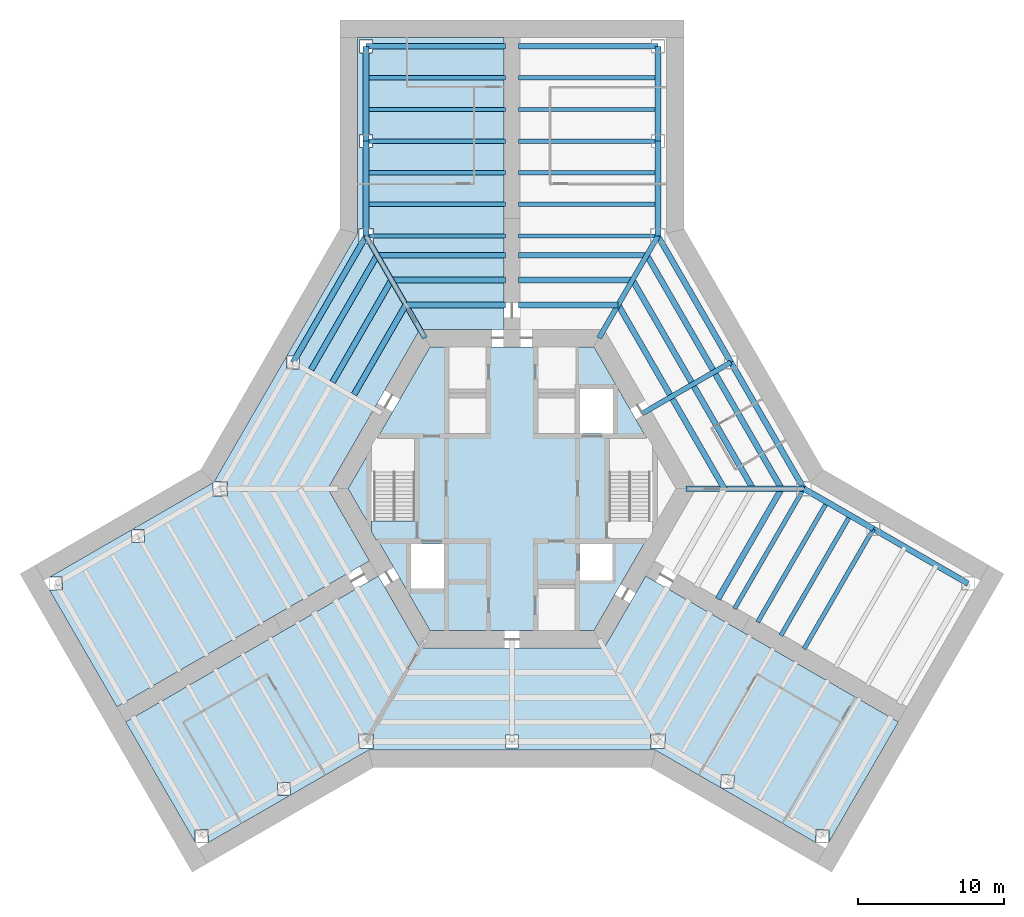
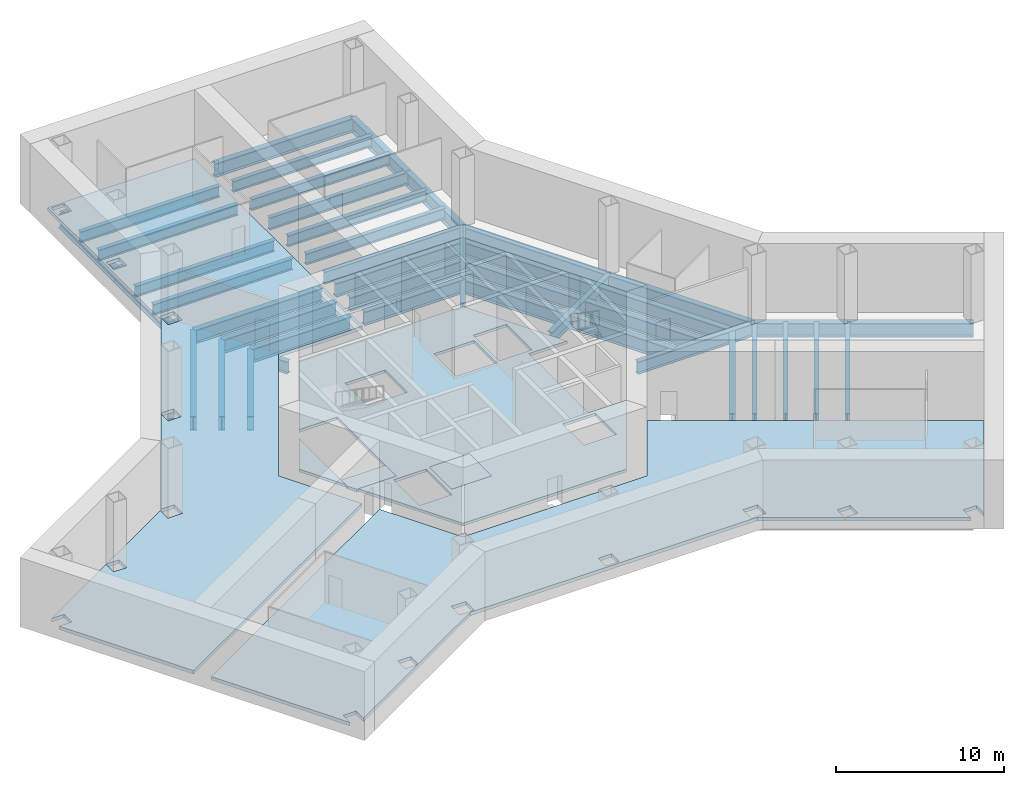
# One storey, part 2 of 7: 47 beams, 6 slabs, 1 element without a shape of its own.
"""IFC4 building model written with IfcOpenShell, lengths in metres."""

import ifcopenshell
import ifcopenshell.guid

model = None  # the IFC model being written
_history = None  # IfcOwnerHistory: only IFC2X3 demands one
_inside = {}  # id of a spatial element -> (the spatial element, [elements in it])
_under = {}  # id of a project, library or spatial element -> (it, [spatial elements below it])
_declared = {}  # id of a project -> (the project, [libraries it declares])
_typed = {}  # id of a type object -> (the type object, [elements of that type])
_made_of = {}  # id of a material, layer set ... -> (it, [elements and type objects made of it])


def new_model(schema):
    """Start an empty IFC model of exactly this schema.

    Asked for "IFC4X3", IfcOpenShell would pick the latest addendum, in which some entities
    have other attributes; the version numbers below select the first issue.
    IFC2X3 requires an IfcOwnerHistory on every rooted entity: one is made here for all.
    """
    global model, _history
    if schema == "IFC4X3":
        model = ifcopenshell.file(schema_version=(4, 3, 0, 0))
    else:
        model = ifcopenshell.file(schema=schema)
    _inside.clear()
    _under.clear()
    _declared.clear()
    _typed.clear()
    _made_of.clear()
    _history = None
    if model.schema == "IFC2X3":
        org = make("IfcOrganization", Name="unknown")
        user = make(
            "IfcPersonAndOrganization",
            ThePerson=make("IfcPerson", FamilyName="unknown"),
            TheOrganization=org,
        )
        app = make(
            "IfcApplication",
            ApplicationDeveloper=org,
            Version="unknown",
            ApplicationFullName="unknown",
            ApplicationIdentifier="unknown",
        )
        _history = make(
            "IfcOwnerHistory",
            OwningUser=user,
            OwningApplication=app,
            ChangeAction="ADDED",
            CreationDate=0,
        )
    return model


def make(cls, **values):
    """One entity of the class cls with the attributes given. An attribute that is None is left unset."""
    return model.create_entity(
        cls, **{name: value for name, value in values.items() if value is not None}
    )


def rooted(cls, **values):
    """An entity with a GlobalId (a new one), such as an element, a storey or a relation."""
    return make(cls, GlobalId=ifcopenshell.guid.new(), OwnerHistory=_history, **values)


def si_unit(unit_type, name, prefix=None):
    """IfcSIUnit, for example si_unit("LENGTHUNIT", "METRE", prefix="MILLI")."""
    return make("IfcSIUnit", UnitType=unit_type, Prefix=prefix, Name=name)


def assignment(units):
    """IfcUnitAssignment: the units of a project."""
    return None if units is None else make("IfcUnitAssignment", Units=units)


def point(xyz):
    """IfcCartesianPoint."""
    return None if xyz is None else make("IfcCartesianPoint", Coordinates=xyz)


def direction(xyz):
    """IfcDirection."""
    return None if xyz is None else make("IfcDirection", DirectionRatios=xyz)


def frame(location, z_axis=None, x_axis=None):
    """IfcAxis2Placement3D, a coordinate frame: its origin and axes. An axis left out is left unset."""
    return make(
        "IfcAxis2Placement3D",
        Location=point(location),
        Axis=direction(z_axis),
        RefDirection=direction(x_axis),
    )


def frame_2d(location, x_axis=None):
    """IfcAxis2Placement2D, a coordinate frame in the plane: its origin and x axis."""
    return make(
        "IfcAxis2Placement2D", Location=point(location), RefDirection=direction(x_axis)
    )


def origin():
    """The frame at (0, 0, 0) with its axes left unset."""
    return frame((0.0, 0.0, 0.0))


def origin_2d():
    """The frame at (0, 0) in the plane with its x axis left unset."""
    return frame_2d((0.0, 0.0))


def place(relative_to, where):
    """IfcLocalPlacement: puts the frame where relative to a parent placement (None: the world)."""
    return make(
        "IfcLocalPlacement", PlacementRelTo=relative_to, RelativePlacement=where
    )


def context(
    kind, dimensions, precision=None, world=None, true_north=None, identifier=None
):
    """IfcGeometricRepresentationContext, for example the 3D "Model" context."""
    return make(
        "IfcGeometricRepresentationContext",
        ContextIdentifier=identifier,
        ContextType=kind,
        CoordinateSpaceDimension=dimensions,
        Precision=precision,
        WorldCoordinateSystem=world,
        TrueNorth=true_north,
    )


def subcontext(parent, identifier, kind, view, scale=None):
    """IfcGeometricRepresentationSubContext, for example "Body" below "Model"."""
    return make(
        "IfcGeometricRepresentationSubContext",
        ContextIdentifier=identifier,
        ContextType=kind,
        ParentContext=parent,
        TargetScale=scale,
        TargetView=view,
    )


def project(units=None, contexts=None):
    """IfcProject with its units and contexts."""
    return rooted(
        "IfcProject",
        Name="project",
        RepresentationContexts=contexts,
        UnitsInContext=assignment(units),
    )


def spatial(cls, under=None, at=None, **own):
    """A site, building, storey or space (cls), placed at a placement, below another one or the project."""
    s = rooted(cls, ObjectPlacement=at, **own)
    if under is not None:
        _under.setdefault(under.id(), (under, []))[1].append(s)
    return s


def polyline(points):
    """IfcPolyline through the points."""
    return make("IfcPolyline", Points=[point(p) for p in points])


def profile(cls, at=None, kind="AREA", **sizes):
    """A parametric profile (cls). Its sizes go by their IFC names, for example OverallWidth=200.0."""
    return make(cls, ProfileType=kind, Position=at, **sizes)


def i_section(**sizes):
    """IfcIShapeProfileDef."""
    return profile("IfcIShapeProfileDef", **sizes)


def outline(outer, holes=None, kind="AREA"):
    """IfcArbitraryClosedProfileDef: a profile drawn as a closed curve; with holes, ...WithVoids."""
    if holes is None:
        return make("IfcArbitraryClosedProfileDef", ProfileType=kind, OuterCurve=outer)
    return make(
        "IfcArbitraryProfileDefWithVoids",
        ProfileType=kind,
        OuterCurve=outer,
        InnerCurves=holes,
    )


def extrude(swept, where, along, depth):
    """IfcExtrudedAreaSolid: the profile swept, set in the frame where, extruded along a direction by depth."""
    return make(
        "IfcExtrudedAreaSolid",
        SweptArea=swept,
        Position=where,
        ExtrudedDirection=direction(along),
        Depth=depth,
    )


def shape(context_of_items, identifier, shape_type, items):
    """IfcShapeRepresentation: the items that make up one representation, for example the "Body"."""
    return make(
        "IfcShapeRepresentation",
        ContextOfItems=context_of_items,
        RepresentationIdentifier=identifier,
        RepresentationType=shape_type,
        Items=items,
    )


def material(Name=None, Category=None):
    """IfcMaterial."""
    return make("IfcMaterial", Name=Name, Category=Category)


def layer(
    of_material, thickness, ventilated=None, Name=None, Category=None, Priority=None
):
    """IfcMaterialLayer: one layer of a wall or slab, of a material (None: an air gap)."""
    return make(
        "IfcMaterialLayer",
        Material=of_material,
        LayerThickness=thickness,
        IsVentilated=ventilated,
        Name=Name,
        Category=Category,
        Priority=Priority,
    )


def layer_set(layers, Name=None):
    """IfcMaterialLayerSet."""
    return make("IfcMaterialLayerSet", MaterialLayers=layers, LayerSetName=Name)


def material_profile(
    of_material, cross_section, Name=None, Category=None, Priority=None
):
    """IfcMaterialProfile: a cross section and its material."""
    return make(
        "IfcMaterialProfile",
        Name=Name,
        Material=of_material,
        Profile=cross_section,
        Priority=Priority,
        Category=Category,
    )


def profile_set(profiles, Name=None, composite=None):
    """IfcMaterialProfileSet."""
    return make(
        "IfcMaterialProfileSet",
        Name=Name,
        MaterialProfiles=profiles,
        CompositeProfile=composite,
    )


def made_of(thing, what):
    """Note that an element or type object is made of a material, layer set ...; save() writes the relation."""
    if what is not None:
        _made_of.setdefault(what.id(), (what, []))[1].append(thing)
    return thing


def type_object(cls, material=None, **own):
    """A type object (cls), such as IfcWallType, which elements share."""
    return made_of(rooted(cls, **own), material)


def element(
    cls,
    number,
    at=None,
    inside=None,
    cuts=None,
    type_object=None,
    material=None,
    context=None,
    identifier="Body",
    shape_type=None,
    held_by="IfcProductDefinitionShape",
    body=None,
    shapes=None,
    **own,
):
    """One element of the class cls, such as IfcWall. Its Tag is "e" and its number.

    at: its placement. inside: the storey or other place that contains it. cuts: it is an
    opening in that element (IfcRelVoidsElement). A single representation is given by context,
    identifier, shape_type and body (its items); several are given by shapes. held_by: the class
    of the entity that holds the representations. save() writes the other relations.
    """
    e = rooted(cls, Tag="e%d" % number, ObjectPlacement=at, **own)
    if body is not None:
        shapes = [shape(context, identifier, shape_type, body)]
    if shapes is not None:
        e.Representation = make(held_by, Representations=shapes)
    if inside is not None:
        _inside.setdefault(inside.id(), (inside, []))[1].append(e)
    if cuts is not None:
        rooted(
            "IfcRelVoidsElement", RelatingBuildingElement=cuts, RelatedOpeningElement=e
        )
    if type_object is not None:
        _typed.setdefault(type_object.id(), (type_object, []))[1].append(e)
    return made_of(e, material)


def aggregate(whole, parts):
    """IfcRelAggregates: a whole, such as a stair, and the parts it consists of."""
    return rooted("IfcRelAggregates", RelatingObject=whole, RelatedObjects=parts)


def save(model, path):
    """Write the relations noted so far, then the file.

    IfcRelAggregates (storeys below a building ...), IfcRelContainedInSpatialStructure (elements
    in a storey), IfcRelDefinesByType, IfcRelAssociatesMaterial and IfcRelDeclares: one each for
    every whole, place, type object, material and project.
    """
    for whole, parts in _under.values():
        aggregate(whole, parts)
    for where, things in _inside.values():
        rooted(
            "IfcRelContainedInSpatialStructure",
            RelatedElements=things,
            RelatingStructure=where,
        )
    for kind, things in _typed.values():
        rooted("IfcRelDefinesByType", RelatedObjects=things, RelatingType=kind)
    for what, things in _made_of.values():
        rooted("IfcRelAssociatesMaterial", RelatedObjects=things, RelatingMaterial=what)
    for by, libraries in _declared.values():
        rooted("IfcRelDeclares", RelatingContext=by, RelatedDefinitions=libraries)
    model.write(path)


model = new_model("IFC4")

# Units and contexts
model_context = context("Model", 3, precision=1e-05, world=origin(), true_north=direction((0.0, 1.0)))
body_context = subcontext(model_context, "Body", "Model", "MODEL_VIEW")
ifc_project = project(units=[si_unit("LENGTHUNIT", "METRE"), si_unit("AREAUNIT", "SQUARE_METRE"), si_unit("VOLUMEUNIT", "CUBIC_METRE"), si_unit("PLANEANGLEUNIT", "RADIAN"), si_unit("MASSUNIT", "GRAM", prefix="KILO")], contexts=[model_context])

# Site, building, storey
site_placement = place(None, origin())
site = spatial("IfcSite", under=ifc_project, at=site_placement, CompositionType="ELEMENT")
building_placement = place(site_placement, origin())
building = spatial("IfcBuilding", under=site, at=building_placement, Name="Kasaneha Research Tower", CompositionType="ELEMENT")
storey_placement = place(building_placement, frame((0.0, 0.0, -5.0)))
storey = spatial("IfcBuildingStorey", under=building, at=storey_placement, Name="B1", CompositionType="ELEMENT", Elevation=-5.0)

# Beams
ifc_material_1 = material(Name="Steel SN490B", Category="steel")
ifc_material_profile_1 = material_profile(ifc_material_1, i_section(OverallWidth=0.39990234375, OverallDepth=1.0, WebThickness=0.01904296875, FlangeThickness=0.035888671875, at=origin_2d()), Name="BH-1000x400x19x36")
ifc_profile_set_1 = profile_set([ifc_material_profile_1], Name="Steel SN490B")
beam_type_1 = type_object("IfcBeamType", Name="B1-0 secondary beam BH-1000x400x19x36", PredefinedType="JOIST", material=ifc_profile_set_1)
beam_1_placement = place(storey_placement, frame((14.54931640625, 0.0, -0.75), z_axis=(-0.500000279077, 0.866025242659, 0.0), x_axis=(-0.866025242659, -0.500000279077, 0.0)))
element("IfcBeam", 1, at=beam_1_placement, inside=storey, type_object=beam_type_1, Name="Secondary beam RS030L1 B1", PredefinedType="JOIST", context=body_context, shape_type="SweptSolid", body=[
    extrude(i_section(OverallWidth=0.39990234375, OverallDepth=1.0, WebThickness=0.01904296875, FlangeThickness=0.035888671875, at=origin_2d()), origin(), (0.0, 0.0, 1.0), 7.099609375),
])
beam_2_placement = place(storey_placement, frame((16.51220703125, 0.0, -0.75), z_axis=(-0.499992685514, 0.866029626764, 0.0), x_axis=(-0.866029626764, -0.499992685514, 0.0)))
element("IfcBeam", 2, at=beam_2_placement, inside=storey, type_object=beam_type_1, Name="Secondary beam RS030L2 B1", PredefinedType="JOIST", context=body_context, shape_type="SweptSolid", body=[
    extrude(i_section(OverallWidth=0.39990234375, OverallDepth=1.0, WebThickness=0.01904296875, FlangeThickness=0.035888671875, at=origin_2d()), origin(), (0.0, 0.0, 1.0), 8.0810546875),
])
beam_3_placement = place(storey_placement, frame((18.47509765625, 0.0, -0.75), z_axis=(-0.499998401736, 0.866026326541, 0.0), x_axis=(-0.866026326541, -0.499998401736, 0.0)))
element("IfcBeam", 3, at=beam_3_placement, inside=storey, type_object=beam_type_1, Name="Secondary beam RS030L3 B1", PredefinedType="JOIST", context=body_context, shape_type="SweptSolid", body=[
    extrude(i_section(OverallWidth=0.39990234375, OverallDepth=1.0, WebThickness=0.01904296875, FlangeThickness=0.035888671875, at=origin_2d()), origin(), (0.0, 0.0, 1.0), 9.0625),
])
beam_4_placement = place(storey_placement, frame((7.274658203125, 12.60009765625, -0.75), z_axis=(0.500000279077, -0.866025242659, 0.0), x_axis=(0.866025242659, 0.500000279077, 0.0)))
element("IfcBeam", 4, at=beam_4_placement, inside=storey, type_object=beam_type_1, Name="Secondary beam RS030R1 B1", PredefinedType="JOIST", context=body_context, shape_type="SweptSolid", body=[
    extrude(i_section(OverallWidth=0.39990234375, OverallDepth=1.0, WebThickness=0.01904296875, FlangeThickness=0.035888671875, at=origin_2d()), origin(), (0.0, 0.0, 1.0), 7.099609375),
])
beam_5_placement = place(storey_placement, frame((8.256103515625, 14.300048828125, -0.75), z_axis=(0.499992685514, -0.866029626764, 0.0), x_axis=(0.866029626764, 0.499992685514, 0.0)))
element("IfcBeam", 5, at=beam_5_placement, inside=storey, type_object=beam_type_1, Name="Secondary beam RS030R2 B1", PredefinedType="JOIST", context=body_context, shape_type="SweptSolid", body=[
    extrude(i_section(OverallWidth=0.39990234375, OverallDepth=1.0, WebThickness=0.01904296875, FlangeThickness=0.035888671875, at=origin_2d()), origin(), (0.0, 0.0, 1.0), 8.0810546875),
])
beam_6_placement = place(storey_placement, frame((9.237548828125, 16.0, -0.75), z_axis=(0.499998401736, -0.866026326541, 0.0), x_axis=(0.866026326541, 0.499998401736, 0.0)))
element("IfcBeam", 6, at=beam_6_placement, inside=storey, type_object=beam_type_1, Name="Secondary beam RS030R3 B1", PredefinedType="JOIST", context=body_context, shape_type="SweptSolid", body=[
    extrude(i_section(OverallWidth=0.39990234375, OverallDepth=1.0, WebThickness=0.01904296875, FlangeThickness=0.035888671875, at=origin_2d()), origin(), (0.0, 0.0, 1.0), 9.0625),
])
beam_7_placement = place(storey_placement, frame((7.274658203125, 12.60009765625, -0.75), z_axis=(-1.0, 0.0, 0.0), x_axis=(0.0, -1.0, 0.0)))
element("IfcBeam", 7, at=beam_7_placement, inside=storey, type_object=beam_type_1, Name="Secondary beam RS090L1 B1", PredefinedType="JOIST", context=body_context, shape_type="SweptSolid", body=[
    extrude(i_section(OverallWidth=0.39990234375, OverallDepth=1.0, WebThickness=0.01904296875, FlangeThickness=0.035888671875, at=origin_2d()), origin(), (0.0, 0.0, 1.0), 6.82470703125),
])
beam_8_placement = place(storey_placement, frame((8.256103515625, 14.300048828125, -0.75), z_axis=(-1.0, 0.0, 0.0), x_axis=(0.0, -1.0, 0.0)))
element("IfcBeam", 8, at=beam_8_placement, inside=storey, type_object=beam_type_1, Name="Secondary beam RS090L2 B1", PredefinedType="JOIST", context=body_context, shape_type="SweptSolid", body=[
    extrude(i_section(OverallWidth=0.39990234375, OverallDepth=1.0, WebThickness=0.01904296875, FlangeThickness=0.035888671875, at=origin_2d()), origin(), (0.0, 0.0, 1.0), 7.80615234375),
])
beam_9_placement = place(storey_placement, frame((9.237548828125, 16.0, -0.75), z_axis=(-1.0, 0.0, 0.0), x_axis=(0.0, -1.0, 0.0)))
element("IfcBeam", 9, at=beam_9_placement, inside=storey, type_object=beam_type_1, Name="Secondary beam RS090L3 B1", PredefinedType="JOIST", context=body_context, shape_type="SweptSolid", body=[
    extrude(i_section(OverallWidth=0.39990234375, OverallDepth=1.0, WebThickness=0.01904296875, FlangeThickness=0.035888671875, at=origin_2d()), origin(), (0.0, 0.0, 1.0), 8.78759765625),
])
beam_10_placement = place(storey_placement, frame((-7.274658203125, 12.60009765625, -0.75), z_axis=(1.0, 0.0, 0.0), x_axis=(0.0, 1.0, 0.0)))
element("IfcBeam", 10, at=beam_10_placement, inside=storey, type_object=beam_type_1, Name="Secondary beam RS090R1 B1", PredefinedType="JOIST", context=body_context, shape_type="SweptSolid", body=[
    extrude(i_section(OverallWidth=0.39990234375, OverallDepth=1.0, WebThickness=0.01904296875, FlangeThickness=0.035888671875, at=origin_2d()), origin(), (0.0, 0.0, 1.0), 6.82470703125),
])
beam_11_placement = place(storey_placement, frame((-8.256103515625, 14.300048828125, -0.75), z_axis=(1.0, 0.0, 0.0), x_axis=(0.0, 1.0, 0.0)))
element("IfcBeam", 11, at=beam_11_placement, inside=storey, type_object=beam_type_1, Name="Secondary beam RS090R2 B1", PredefinedType="JOIST", context=body_context, shape_type="SweptSolid", body=[
    extrude(i_section(OverallWidth=0.39990234375, OverallDepth=1.0, WebThickness=0.01904296875, FlangeThickness=0.035888671875, at=origin_2d()), origin(), (0.0, 0.0, 1.0), 7.80615234375),
])
beam_12_placement = place(storey_placement, frame((-9.237548828125, 16.0, -0.75), z_axis=(1.0, 0.0, 0.0), x_axis=(0.0, 1.0, 0.0)))
element("IfcBeam", 12, at=beam_12_placement, inside=storey, type_object=beam_type_1, Name="Secondary beam RS090R3 B1", PredefinedType="JOIST", context=body_context, shape_type="SweptSolid", body=[
    extrude(i_section(OverallWidth=0.39990234375, OverallDepth=1.0, WebThickness=0.01904296875, FlangeThickness=0.035888671875, at=origin_2d()), origin(), (0.0, 0.0, 1.0), 8.78759765625),
])
beam_13_placement = place(storey_placement, frame((-7.274658203125, 12.60009765625, -0.75), z_axis=(-0.500000279077, -0.866025242659, 0.0), x_axis=(0.866025242659, -0.500000279077, 0.0)))
element("IfcBeam", 13, at=beam_13_placement, inside=storey, type_object=beam_type_1, Name="Secondary beam RS150L1 B1", PredefinedType="JOIST", context=body_context, shape_type="SweptSolid", body=[
    extrude(i_section(OverallWidth=0.39990234375, OverallDepth=1.0, WebThickness=0.01904296875, FlangeThickness=0.035888671875, at=origin_2d()), origin(), (0.0, 0.0, 1.0), 7.099609375),
])
beam_14_placement = place(storey_placement, frame((-8.256103515625, 14.300048828125, -0.75), z_axis=(-0.499992685514, -0.866029626764, 0.0), x_axis=(0.866029626764, -0.499992685514, 0.0)))
element("IfcBeam", 14, at=beam_14_placement, inside=storey, type_object=beam_type_1, Name="Secondary beam RS150L2 B1", PredefinedType="JOIST", context=body_context, shape_type="SweptSolid", body=[
    extrude(i_section(OverallWidth=0.39990234375, OverallDepth=1.0, WebThickness=0.01904296875, FlangeThickness=0.035888671875, at=origin_2d()), origin(), (0.0, 0.0, 1.0), 8.0810546875),
])
beam_15_placement = place(storey_placement, frame((-9.237548828125, 16.0, -0.75), z_axis=(-0.499998401736, -0.866026326541, 0.0), x_axis=(0.866026326541, -0.499998401736, 0.0)))
element("IfcBeam", 15, at=beam_15_placement, inside=storey, type_object=beam_type_1, Name="Secondary beam RS150L3 B1", PredefinedType="JOIST", context=body_context, shape_type="SweptSolid", body=[
    extrude(i_section(OverallWidth=0.39990234375, OverallDepth=1.0, WebThickness=0.01904296875, FlangeThickness=0.035888671875, at=origin_2d()), origin(), (0.0, 0.0, 1.0), 9.0625),
])
beam_16_placement = place(storey_placement, frame((18.47509765625, 0.0, -0.75), z_axis=(-0.499991738058, -0.866030173766, 0.0), x_axis=(0.866030173766, -0.499991738058, 0.0)))
element("IfcBeam", 16, at=beam_16_placement, inside=storey, type_object=beam_type_1, Name="Secondary beam RS330R3 B1", PredefinedType="JOIST", context=body_context, shape_type="SweptSolid", body=[
    extrude(i_section(OverallWidth=0.39990234375, OverallDepth=1.0, WebThickness=0.01904296875, FlangeThickness=0.035888671875, at=origin_2d()), origin(), (0.0, 0.0, 1.0), 8.737548828125),
])
ifc_material_2 = material(Name="Steel SN490B", Category="steel")
ifc_material_profile_2 = material_profile(ifc_material_2, i_section(OverallWidth=0.300048828125, OverallDepth=0.800048828125, WebThickness=0.013916015625, FlangeThickness=0.02587890625, FilletRadius=0.01806640625, at=origin_2d()), Name="H-800x300x14x26")
ifc_profile_set_2 = profile_set([ifc_material_profile_2], Name="Steel SN490B")
beam_type_2 = type_object("IfcBeamType", Name="B2-0 secondary beam H-800x300x14x26", PredefinedType="JOIST", material=ifc_profile_set_2)
for number, where, z_axis, x_axis, name in (
    (17, (10.0, 19.487060546875, -0.64990234375), (-1.0, 0.0, 0.0), (0.0, -1.0, 0.0), "Secondary beam WBAP1 B1"),
    (18, (10.0, 21.65380859375, -0.64990234375), (-1.0, 0.0, 0.0), (0.0, -1.0, 0.0), "Secondary beam WBAP2 B1"),
    (19, (10.0, 25.987060546875, -0.64990234375), (-1.0, 0.0, 0.0), (0.0, -1.0, 0.0), "Secondary beam WBAP3 B1"),
    (20, (10.0, 28.15380859375, -0.64990234375), (-1.0, 0.0, 0.0), (0.0, -1.0, 0.0), "Secondary beam WBAP4 B1"),
    (21, (-10.0, 19.487060546875, -0.64990234375), (1.0, 0.0, 0.0), (0.0, 1.0, 0.0), "Secondary beam WBAN1 B1"),
    (22, (-10.0, 21.65380859375, -0.64990234375), (1.0, 0.0, 0.0), (0.0, 1.0, 0.0), "Secondary beam WBAN2 B1"),
    (23, (-10.0, 25.987060546875, -0.64990234375), (1.0, 0.0, 0.0), (0.0, 1.0, 0.0), "Secondary beam WBAN3 B1"),
    (24, (-10.0, 28.15380859375, -0.64990234375), (1.0, 0.0, 0.0), (0.0, 1.0, 0.0), "Secondary beam WBAN4 B1"),
):
    element("IfcBeam", number, at=place(storey_placement, frame(where, z_axis=z_axis, x_axis=x_axis)), inside=storey, type_object=beam_type_2, Name=name, PredefinedType="JOIST", context=body_context, shape_type="SweptSolid", body=[
        extrude(i_section(OverallWidth=0.300048828125, OverallDepth=0.800048828125, WebThickness=0.013916015625, FlangeThickness=0.02587890625, FilletRadius=0.01806640625, at=origin_2d()), origin(), (0.0, 0.0, 1.0), 9.550048828125),
    ])
beam_17_placement = place(storey_placement, frame((21.587646484375, -0.916748046875, -0.64990234375), z_axis=(-0.500008685663, -0.866020389056, 0.0), x_axis=(0.866020389056, -0.500008685663, 0.0)))
element("IfcBeam", 25, at=beam_17_placement, inside=storey, type_object=beam_type_2, Name="Secondary beam WBCN1 B1", PredefinedType="JOIST", context=body_context, shape_type="SweptSolid", body=[
    extrude(i_section(OverallWidth=0.300048828125, OverallDepth=0.800048828125, WebThickness=0.013916015625, FlangeThickness=0.02587890625, FilletRadius=0.01806640625, at=origin_2d()), origin(), (0.0, 0.0, 1.0), 9.499755859375),
])
beam_18_placement = place(storey_placement, frame((23.175537109375, -1.833251953125, -0.64990234375), z_axis=(-0.499997557548, -0.86602681393, 0.0), x_axis=(0.86602681393, -0.499997557548, 0.0)))
element("IfcBeam", 26, at=beam_18_placement, inside=storey, type_object=beam_type_2, Name="Secondary beam WBCN2 B1", PredefinedType="JOIST", context=body_context, shape_type="SweptSolid", body=[
    extrude(i_section(OverallWidth=0.300048828125, OverallDepth=0.800048828125, WebThickness=0.013916015625, FlangeThickness=0.02587890625, FilletRadius=0.01806640625, at=origin_2d()), origin(), (0.0, 0.0, 1.0), 9.5),
])
ifc_material_3 = material(Name="Steel SN490B", Category="steel")
ifc_material_profile_3 = material_profile(ifc_material_3, i_section(OverallWidth=0.35009765625, OverallDepth=0.89990234375, WebThickness=0.01611328125, FlangeThickness=0.031982421875, at=origin_2d()), Name="BH-900x350x16x32")
ifc_profile_set_3 = profile_set([ifc_material_profile_3], Name="Steel SN490B")
beam_type_3 = type_object("IfcBeamType", Name="G1-0 radial girder BH-900x350x16x32", PredefinedType="BEAM", material=ifc_profile_set_3)
beam_19_placement = place(storey_placement, frame((11.92236328125, 0.0, -0.699951171875), z_axis=(1.0, 0.0, 0.0), x_axis=(0.0, 1.0, 0.0)))
element("IfcBeam", 27, at=beam_19_placement, inside=storey, type_object=beam_type_3, Name="Radial girder RV000 B1", PredefinedType="BEAM", context=body_context, shape_type="SweptSolid", body=[
    extrude(i_section(OverallWidth=0.35009765625, OverallDepth=0.89990234375, WebThickness=0.01611328125, FlangeThickness=0.031982421875, at=origin_2d()), origin(), (0.0, 0.0, 1.0), 8.07763671875),
])
for number, where, z_axis, x_axis, name in (
    (28, (5.961181640625, 10.324951171875, -0.699951171875), (0.49999105496, 0.866030568144, 0.0), (-0.866030568144, 0.49999105496, 0.0), "Radial girder RV060 B1"),
    (29, (-5.961181640625, 10.324951171875, -0.699951171875), (-0.49999105496, 0.866030568144, 0.0), (-0.866030568144, -0.49999105496, 0.0), "Radial girder RV120 B1"),
):
    element("IfcBeam", number, at=place(storey_placement, frame(where, z_axis=z_axis, x_axis=x_axis)), inside=storey, type_object=beam_type_3, Name=name, PredefinedType="BEAM", context=body_context, shape_type="SweptSolid", body=[
        extrude(i_section(OverallWidth=0.35009765625, OverallDepth=0.89990234375, WebThickness=0.01611328125, FlangeThickness=0.031982421875, at=origin_2d()), origin(), (0.0, 0.0, 1.0), 8.077880859375),
    ])
ifc_material_4 = material(Name="Steel SN490B", Category="steel")
ifc_material_profile_4 = material_profile(ifc_material_4, i_section(OverallWidth=0.35009765625, OverallDepth=0.89990234375, WebThickness=0.01611328125, FlangeThickness=0.031982421875, at=origin_2d()), Name="BH-900x350x16x32")
ifc_profile_set_4 = profile_set([ifc_material_profile_4], Name="Steel SN490B")
beam_type_4 = type_object("IfcBeamType", Name="G2-0 radial girder BH-900x350x16x32", PredefinedType="BEAM", material=ifc_profile_set_4)
beam_20_placement = place(storey_placement, frame((8.941650390625, 5.16259765625, -0.699951171875), z_axis=(0.866039713508, 0.499975214012, 0.0), x_axis=(-0.499975214012, 0.866039713508, 0.0)))
element("IfcBeam", 30, at=beam_20_placement, inside=storey, type_object=beam_type_4, Name="Radial girder RM030 B1", PredefinedType="BEAM", context=body_context, shape_type="SweptSolid", body=[
    extrude(i_section(OverallWidth=0.35009765625, OverallDepth=0.89990234375, WebThickness=0.01611328125, FlangeThickness=0.031982421875, at=origin_2d()), origin(), (0.0, 0.0, 1.0), 6.995361328125),
])
ifc_material_5 = material(Name="Steel SN490B", Category="steel")
ifc_material_profile_5 = material_profile(ifc_material_5, i_section(OverallWidth=0.299072265625, OverallDepth=0.889892578125, WebThickness=0.014892578125, FlangeThickness=0.02294921875, FilletRadius=0.01806640625, at=origin_2d()), Name="H-890x299x15x23")
ifc_profile_set_5 = profile_set([ifc_material_profile_5], Name="Steel SN490B")
beam_type_5 = type_object("IfcBeamType", Name="G3-0 plate edge girder H-890x299x15x23", PredefinedType="BEAM", material=ifc_profile_set_5)
for number, where, z_axis, x_axis, name in (
    (31, (10.0, 17.320556640625, -0.695068359375), (-1.0, 0.0, 0.0), (0.0, -1.0, 0.0), "Plate edge girder PEAP B1"),
    (32, (-10.0, 17.320556640625, -0.695068359375), (1.0, 0.0, 0.0), (0.0, 1.0, 0.0), "Plate edge girder PEAN B1"),
):
    element("IfcBeam", number, at=place(storey_placement, frame(where, z_axis=z_axis, x_axis=x_axis)), inside=storey, type_object=beam_type_5, Name=name, PredefinedType="BEAM", context=body_context, shape_type="SweptSolid", body=[
        extrude(i_section(OverallWidth=0.299072265625, OverallDepth=0.889892578125, WebThickness=0.014892578125, FlangeThickness=0.02294921875, FilletRadius=0.01806640625, at=origin_2d()), origin(), (0.0, 0.0, 1.0), 9.550048828125),
    ])
beam_21_placement = place(storey_placement, frame((20.0, 0.0, -0.695068359375), z_axis=(-0.499997557548, -0.86602681393, 0.0), x_axis=(0.86602681393, -0.499997557548, 0.0)))
element("IfcBeam", 33, at=beam_21_placement, inside=storey, type_object=beam_type_5, Name="Plate edge girder PECN B1", PredefinedType="BEAM", context=body_context, shape_type="SweptSolid", body=[
    extrude(i_section(OverallWidth=0.299072265625, OverallDepth=0.889892578125, WebThickness=0.014892578125, FlangeThickness=0.02294921875, FilletRadius=0.01806640625, at=origin_2d()), origin(), (0.0, 0.0, 1.0), 9.5),
])
ifc_material_6 = material(Name="Steel SN490B", Category="steel")
ifc_material_profile_6 = material_profile(ifc_material_6, i_section(OverallWidth=0.300048828125, OverallDepth=0.89990234375, WebThickness=0.01611328125, FlangeThickness=0.028076171875, FilletRadius=0.01806640625, at=origin_2d()), Name="H-900x300x16x28")
ifc_profile_set_6 = profile_set([ifc_material_profile_6], Name="Steel SN490B")
beam_type_6 = type_object("IfcBeamType", Name="G4-0 wing girder H-900x300x16x28", PredefinedType="BEAM", material=ifc_profile_set_6)
for number, where, z_axis, x_axis, name in (
    (34, (10.0, 23.820556640625, -0.699951171875), (-1.0, 0.0, 0.0), (0.0, -1.0, 0.0), "Wing girder WGAP B1"),
    (35, (-10.0, 23.820556640625, -0.699951171875), (1.0, 0.0, 0.0), (0.0, 1.0, 0.0), "Wing girder WGAN B1"),
):
    element("IfcBeam", number, at=place(storey_placement, frame(where, z_axis=z_axis, x_axis=x_axis)), inside=storey, type_object=beam_type_6, Name=name, PredefinedType="BEAM", context=body_context, shape_type="SweptSolid", body=[
        extrude(i_section(OverallWidth=0.300048828125, OverallDepth=0.89990234375, WebThickness=0.01611328125, FlangeThickness=0.028076171875, FilletRadius=0.01806640625, at=origin_2d()), origin(), (0.0, 0.0, 1.0), 9.550048828125),
    ])
beam_22_placement = place(storey_placement, frame((24.76318359375, -2.75, -0.699951171875), z_axis=(-0.499997557548, -0.86602681393, 0.0), x_axis=(0.86602681393, -0.499997557548, 0.0)))
element("IfcBeam", 36, at=beam_22_placement, inside=storey, type_object=beam_type_6, Name="Wing girder WGCN B1", PredefinedType="BEAM", context=body_context, shape_type="SweptSolid", body=[
    extrude(i_section(OverallWidth=0.300048828125, OverallDepth=0.89990234375, WebThickness=0.01611328125, FlangeThickness=0.028076171875, FilletRadius=0.01806640625, at=origin_2d()), origin(), (0.0, 0.0, 1.0), 9.5),
])
ifc_material_7 = material(Name="Steel SN490B", Category="steel")
ifc_material_profile_7 = material_profile(ifc_material_7, i_section(OverallWidth=0.39990234375, OverallDepth=1.0, WebThickness=0.01904296875, FlangeThickness=0.035888671875, at=origin_2d()), Name="BH-1000x400x19x36")
ifc_profile_set_7 = profile_set([ifc_material_profile_7], Name="Steel SN490B")
beam_type_7 = type_object("IfcBeamType", Name="SB1-0 spandrel beam BH-1000x400x19x36", PredefinedType="SPANDREL", material=ifc_profile_set_7)
beam_23_placement = place(storey_placement, frame((20.0, 0.0, -0.75), z_axis=(-0.500004234368, 0.866022959057, 0.0), x_axis=(-0.866022959057, -0.500004234368, 0.0)))
element("IfcBeam", 37, at=beam_23_placement, inside=storey, type_object=beam_type_7, Name="Spandrel beam SR030L B1", PredefinedType="SPANDREL", context=body_context, shape_type="SweptSolid", body=[
    extrude(i_section(OverallWidth=0.39990234375, OverallDepth=1.0, WebThickness=0.01904296875, FlangeThickness=0.035888671875, at=origin_2d()), origin(), (0.0, 0.0, 1.0), 10.0),
])
for number, where, z_axis, x_axis, name in (
    (38, (10.0, 17.320556640625, -0.75), (0.499993662806, -0.866029062534, 0.0), (0.866029062534, 0.499993662806, 0.0), "Spandrel beam SR030R B1"),
    (39, (-10.0, 17.320556640625, -0.75), (-0.499993662806, -0.866029062534, 0.0), (0.866029062534, -0.499993662806, 0.0), "Spandrel beam SR150L B1"),
):
    element("IfcBeam", number, at=place(storey_placement, frame(where, z_axis=z_axis, x_axis=x_axis)), inside=storey, type_object=beam_type_7, Name=name, PredefinedType="SPANDREL", context=body_context, shape_type="SweptSolid", body=[
        extrude(i_section(OverallWidth=0.39990234375, OverallDepth=1.0, WebThickness=0.01904296875, FlangeThickness=0.035888671875, at=origin_2d()), origin(), (0.0, 0.0, 1.0), 10.000244140625),
    ])
ifc_material_8 = material(Name="Steel SN490B", Category="steel")
ifc_material_profile_8 = material_profile(ifc_material_8, i_section(OverallWidth=0.39990234375, OverallDepth=1.0, WebThickness=0.01904296875, FlangeThickness=0.035888671875, at=origin_2d()), Name="BH-1000x400x19x36")
ifc_profile_set_8 = profile_set([ifc_material_profile_8], Name="Steel SN490B")
beam_type_8 = type_object("IfcBeamType", Name="SB2-0 spandrel beam BH-1000x400x19x36", PredefinedType="SPANDREL", material=ifc_profile_set_8)
for number, where, z_axis, x_axis, name in (
    (40, (10.0, 17.320556640625, -0.75), (0.0, 1.0, 0.0), (-1.0, 0.0, 0.0), "Spandrel beam WSAP1 B1"),
    (41, (10.0, 23.820556640625, -0.75), (0.0, 1.0, 0.0), (-1.0, 0.0, 0.0), "Spandrel beam WSAP2 B1"),
    (42, (-10.0, 17.320556640625, -0.75), (0.0, 1.0, 0.0), (-1.0, 0.0, 0.0), "Spandrel beam WSAN1 B1"),
    (43, (-10.0, 23.820556640625, -0.75), (0.0, 1.0, 0.0), (-1.0, 0.0, 0.0), "Spandrel beam WSAN2 B1"),
):
    element("IfcBeam", number, at=place(storey_placement, frame(where, z_axis=z_axis, x_axis=x_axis)), inside=storey, type_object=beam_type_8, Name=name, PredefinedType="SPANDREL", context=body_context, shape_type="SweptSolid", body=[
        extrude(i_section(OverallWidth=0.39990234375, OverallDepth=1.0, WebThickness=0.01904296875, FlangeThickness=0.035888671875, at=origin_2d()), origin(), (0.0, 0.0, 1.0), 6.5),
    ])
beam_24_placement = place(storey_placement, frame((20.0, 0.0, -0.75), z_axis=(0.866027397988, -0.499996545922, 0.0), x_axis=(0.499996545922, 0.866027397988, 0.0)))
element("IfcBeam", 44, at=beam_24_placement, inside=storey, type_object=beam_type_8, Name="Spandrel beam WSCN1 B1", PredefinedType="SPANDREL", context=body_context, shape_type="SweptSolid", body=[
    extrude(i_section(OverallWidth=0.39990234375, OverallDepth=1.0, WebThickness=0.01904296875, FlangeThickness=0.035888671875, at=origin_2d()), origin(), (0.0, 0.0, 1.0), 5.5),
])
beam_25_placement = place(storey_placement, frame((24.76318359375, -2.75, -0.75), z_axis=(0.866022959057, -0.500004234368, 0.0), x_axis=(0.500004234368, 0.866022959057, 0.0)))
element("IfcBeam", 45, at=beam_25_placement, inside=storey, type_object=beam_type_8, Name="Spandrel beam WSCN2 B1", PredefinedType="SPANDREL", context=body_context, shape_type="SweptSolid", body=[
    extrude(i_section(OverallWidth=0.39990234375, OverallDepth=1.0, WebThickness=0.01904296875, FlangeThickness=0.035888671875, at=origin_2d()), origin(), (0.0, 0.0, 1.0), 7.5),
])
ifc_material_9 = material(Name="Steel SN490B", Category="steel")
ifc_material_profile_9 = material_profile(ifc_material_9, i_section(OverallWidth=0.39990234375, OverallDepth=1.0, WebThickness=0.02197265625, FlangeThickness=0.0400390625, at=origin_2d()), Name="BH-1000x400x22x40")
ifc_profile_set_9 = profile_set([ifc_material_profile_9], Name="Steel SN490B")
beam_type_9 = type_object("IfcBeamType", Name="SB3-0 spandrel beam BH-1000x400x22x40", PredefinedType="SPANDREL", material=ifc_profile_set_9)
for number, where, z_axis, x_axis, name in (
    (46, (10.0, 30.320556640625, -0.75), (-1.0, 0.0, 0.0), (0.0, -1.0, 0.0), "Spandrel beam WTAP B1"),
    (47, (-10.0, 30.320556640625, -0.75), (1.0, 0.0, 0.0), (0.0, 1.0, 0.0), "Spandrel beam WTAN B1"),
):
    element("IfcBeam", number, at=place(storey_placement, frame(where, z_axis=z_axis, x_axis=x_axis)), inside=storey, type_object=beam_type_9, Name=name, PredefinedType="SPANDREL", context=body_context, shape_type="SweptSolid", body=[
        extrude(i_section(OverallWidth=0.39990234375, OverallDepth=1.0, WebThickness=0.02197265625, FlangeThickness=0.0400390625, at=origin_2d()), origin(), (0.0, 0.0, 1.0), 9.550048828125),
    ])

# Slabs
ifc_material_10 = material(Name="Concrete Fc24", Category="concrete")
ifc_layer_1 = layer(ifc_material_10, 0.199951171875)
ifc_layer_set_1 = layer_set([ifc_layer_1], Name="Core floor slab 200")
slab_type_1 = type_object("IfcSlabType", Name="Core floor slab 200", PredefinedType="FLOOR", material=ifc_layer_set_1)
slab_1_placement = place(storey_placement, frame((0.0, 0.0, -0.199951171875)))
element("IfcSlab", 48, at=slab_1_placement, inside=storey, type_object=slab_type_1, Name="Core slab B1", PredefinedType="FLOOR", context=body_context, shape_type="SweptSolid", body=[
    extrude(outline(polyline([(-11.2294921875, 0.0), (-9.625, 2.779052734375), (-9.625, -2.779052734375), (-11.2294921875, 0.0)])), origin(), (0.0, 0.0, 1.0), 0.199951171875),
])
slab_2_placement = place(storey_placement, frame((0.0, 0.0, -0.199951171875)))
element("IfcSlab", 49, at=slab_2_placement, inside=storey, type_object=slab_type_1, Name="Core slab B1", PredefinedType="FLOOR", context=body_context, shape_type="SweptSolid", body=[
    extrude(outline(polyline([(-5.61474609375, 9.72509765625), (5.61474609375, 9.72509765625), (9.1943359375, 3.52490234375), (6.574951171875, 3.52490234375), (6.574951171875, -3.52490234375), (9.1943359375, -3.52490234375), (5.61474609375, -9.72509765625), (-5.61474609375, -9.72509765625), (-9.1943359375, -3.52490234375), (-6.574951171875, -3.52490234375), (-6.574951171875, 3.52490234375), (-9.1943359375, 3.52490234375), (-5.61474609375, 9.72509765625)]), holes=[polyline([(-6.925048828125, -3.77490234375), (-6.925048828125, -6.824951171875), (-4.675048828125, -6.824951171875), (-4.675048828125, -3.77490234375), (-6.925048828125, -3.77490234375)]), polyline([(4.675048828125, -3.77490234375), (4.675048828125, -6.300048828125), (6.89990234375, -6.300048828125), (6.89990234375, -3.77490234375), (4.675048828125, -3.77490234375)]), polyline([(-4.425048828125, -3.675048828125), (-4.425048828125, -6.324951171875), (-1.675048828125, -6.324951171875), (-1.675048828125, -3.675048828125), (-4.425048828125, -3.675048828125)]), polyline([(-4.425048828125, 6.324951171875), (-4.425048828125, 3.675048828125), (-1.675048828125, 3.675048828125), (-1.675048828125, 6.324951171875), (-4.425048828125, 6.324951171875)]), polyline([(1.675048828125, 6.324951171875), (1.675048828125, 3.675048828125), (4.425048828125, 3.675048828125), (4.425048828125, 6.324951171875), (1.675048828125, 6.324951171875)]), polyline([(4.675048828125, 6.824951171875), (4.675048828125, 3.77490234375), (6.925048828125, 3.77490234375), (6.925048828125, 6.824951171875), (4.675048828125, 6.824951171875)])]), origin(), (0.0, 0.0, 1.0), 0.199951171875),
])
ifc_material_11 = material(Name="Concrete Fc24", Category="concrete")
ifc_layer_2 = layer(ifc_material_11, 0.25)
ifc_layer_set_2 = layer_set([ifc_layer_2], Name="Floor slab 250")
slab_type_2 = type_object("IfcSlabType", Name="Floor slab 250", PredefinedType="FLOOR", material=ifc_layer_set_2)
slab_3_placement = place(storey_placement, frame((0.0, 0.0, -0.25)))
element("IfcSlab", 50, at=slab_3_placement, inside=storey, type_object=slab_type_2, Name="Floor slab B1 1", PredefinedType="FLOOR", context=body_context, shape_type="SweptSolid", body=[
    extrude(outline(polyline([(-26.0791015625, -2.81689453125), (-26.0791015625, -3.699951171875), (-25.17919921875, -3.699951171875), (-25.17919921875, -2.800048828125), (-26.0498046875, -2.800048828125), (-20.5, 0.404052734375), (-20.5, -0.5), (-19.5, -0.5), (-19.5, 0.5), (-20.404052734375, 0.5), (-15.449951171875, 9.080810546875), (-15.449951171875, 8.210205078125), (-14.550048828125, 8.210205078125), (-14.550048828125, 9.1103515625), (-15.43310546875, 9.1103515625), (-10.60009765625, 17.481201171875), (-10.60009765625, 30.92041015625), (-0.550048828125, 30.92041015625), (-0.550048828125, 10.925048828125), (-6.3076171875, 10.925048828125), (-12.614990234375, 0.0), (-9.76123046875, -4.94287109375), (-27.077880859375, -14.940673828125), (-31.69140625, -6.949951171875), (-30.808349609375, -6.949951171875), (-30.808349609375, -6.050048828125), (-31.678955078125, -6.050048828125), (-26.0791015625, -2.81689453125)]), holes=[polyline([(-9.5, 17.820556640625), (-10.5, 17.820556640625), (-10.5, 16.820556640625), (-9.5, 16.820556640625), (-9.5, 17.820556640625)]), polyline([(-9.550048828125, 23.37060546875), (-9.550048828125, 24.2705078125), (-10.449951171875, 24.2705078125), (-10.449951171875, 23.37060546875), (-9.550048828125, 23.37060546875)]), polyline([(-9.550048828125, 30.7705078125), (-10.449951171875, 30.7705078125), (-10.449951171875, 29.87060546875), (-9.550048828125, 29.87060546875), (-9.550048828125, 30.7705078125)])]), origin(), (0.0, 0.0, 1.0), 0.25),
])
slab_4_placement = place(storey_placement, frame((0.0, 0.0, -0.25)))
element("IfcSlab", 51, at=slab_4_placement, inside=storey, type_object=slab_type_2, Name="Floor slab B1 2", PredefinedType="FLOOR", context=body_context, shape_type="SweptSolid", body=[
    extrude(outline(polyline([(21.708251953125, -24.240966796875), (21.708251953125, -23.37060546875), (20.808349609375, -23.37060546875), (20.808349609375, -24.25341796875), (14.342529296875, -20.5205078125), (15.213134765625, -20.5205078125), (15.213134765625, -19.62060546875), (14.313232421875, -19.62060546875), (14.313232421875, -20.50341796875), (9.839111328125, -17.92041015625), (-9.839111328125, -17.92041015625), (-15.17919921875, -21.00341796875), (-15.17919921875, -20.12060546875), (-16.0791015625, -20.12060546875), (-16.0791015625, -21.0205078125), (-15.20849609375, -21.0205078125), (-20.808349609375, -24.25341796875), (-20.808349609375, -23.37060546875), (-21.708251953125, -23.37060546875), (-21.708251953125, -24.240966796875), (-26.47802734375, -15.97998046875), (-9.161376953125, -5.982177734375), (-6.3076171875, -10.925048828125), (6.3076171875, -10.925048828125), (9.161376953125, -5.982177734375), (26.47802734375, -15.97998046875), (21.708251953125, -24.240966796875)]), holes=[polyline([(0.449951171875, -17.7705078125), (0.449951171875, -16.87060546875), (-0.449951171875, -16.87060546875), (-0.449951171875, -17.7705078125), (0.449951171875, -17.7705078125)]), polyline([(-9.5, -16.820556640625), (-10.5, -16.820556640625), (-10.5, -17.820556640625), (-9.5, -17.820556640625), (-9.5, -16.820556640625)]), polyline([(10.5, -16.820556640625), (9.5, -16.820556640625), (9.5, -17.820556640625), (10.5, -17.820556640625), (10.5, -16.820556640625)])]), origin(), (0.0, 0.0, 1.0), 0.25),
])
ifc_material_12 = material(Name="Concrete Fc24", Category="concrete")
ifc_layer_3 = layer(ifc_material_12, 0.300048828125)
ifc_layer_set_3 = layer_set([ifc_layer_3], Name="Lift pit slab 300")
slab_type_3 = type_object("IfcSlabType", Name="Lift pit slab 300", PredefinedType="USERDEFINED", material=ifc_layer_set_3)
slab_5_placement = place(storey_placement, frame((0.0, 0.0, -0.300048828125)))
element("IfcSlab", 52, at=slab_5_placement, inside=storey, type_object=slab_type_3, Name="Lift pit slab LO2", ObjectType="LIFT PIT SLAB", PredefinedType="USERDEFINED", context=body_context, shape_type="SweptSolid", body=[
    extrude(outline(polyline([(-1.675048828125, -6.324951171875), (-4.425048828125, -6.324951171875), (-4.425048828125, -3.675048828125), (-1.675048828125, -3.675048828125), (-1.675048828125, -6.324951171875)])), origin(), (0.0, 0.0, 1.0), 0.300048828125),
])

# Stair, slab
ifc_material_13 = material(Name="Concrete Fc24", Category="concrete")
stair_type = type_object("IfcStairType", Name="Half-turn stair 28 risers", PredefinedType="HALF_TURN_STAIR", material=ifc_material_13)
stair_placement = place(storey_placement, origin())
stair = element("IfcStair", 53, at=stair_placement, inside=storey, type_object=stair_type, Name="Stair 2 B1", PredefinedType="HALF_TURN_STAIR")
ifc_material_14 = material(Name="Concrete Fc24", Category="concrete")
ifc_layer_4 = layer(ifc_material_14, 0.199951171875)
ifc_layer_set_4 = layer_set([ifc_layer_4], Name="Stair 2 landing 200")
slab_type_4 = type_object("IfcSlabType", Name="Stair 2 landing 200", PredefinedType="LANDING", material=ifc_layer_set_4)
slab_6_placement = place(storey_placement, frame((0.0, 0.0, -0.199951171875)))
slab_6 = element("IfcSlab", 54, at=slab_6_placement, type_object=slab_type_4, Name="ST2-28R landing 1", PredefinedType="LANDING", context=body_context, shape_type="SweptSolid", body=[
    extrude(outline(polyline([(-6.574951171875, -3.52490234375), (-9.309814453125, -3.52490234375), (-9.625, -2.97900390625), (-9.625, -2.22509765625), (-6.574951171875, -2.22509765625), (-6.574951171875, -3.52490234375)])), origin(), (0.0, 0.0, 1.0), 0.199951171875),
])
aggregate(stair, [slab_6])

save(model, "model.ifc")
